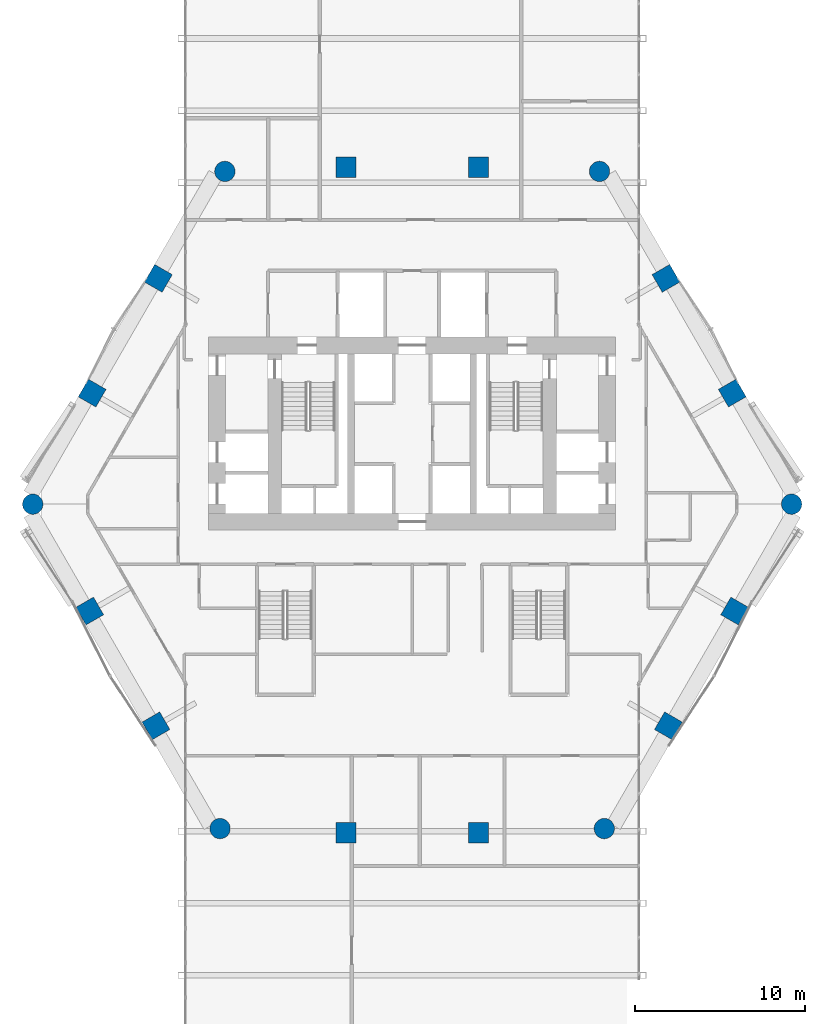
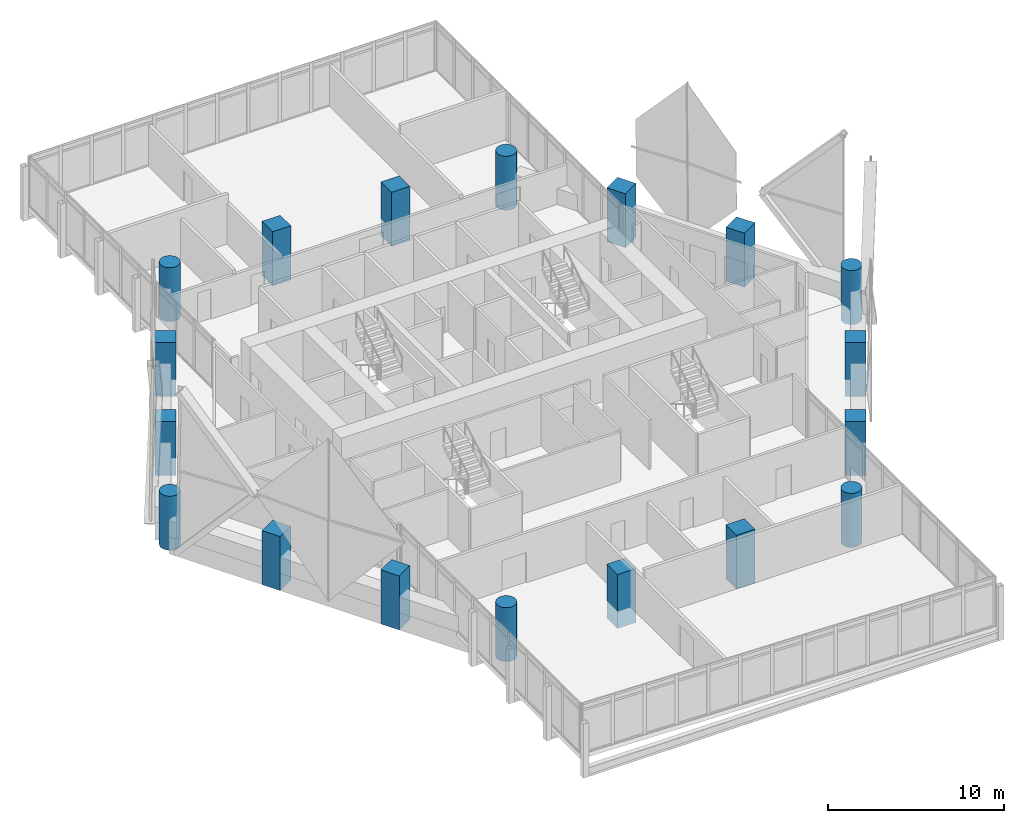
# One storey, part 1 of 38: 18 columns.
"""IFC4 building model written with IfcOpenShell, lengths in metres."""

import ifcopenshell
import ifcopenshell.guid

model = None  # the IFC model being written
_history = None  # IfcOwnerHistory: only IFC2X3 demands one
_inside = {}  # id of a spatial element -> (the spatial element, [elements in it])
_under = {}  # id of a project, library or spatial element -> (it, [spatial elements below it])
_declared = {}  # id of a project -> (the project, [libraries it declares])
_typed = {}  # id of a type object -> (the type object, [elements of that type])
_made_of = {}  # id of a material, layer set ... -> (it, [elements and type objects made of it])


def new_model(schema):
    """Start an empty IFC model of exactly this schema.

    Asked for "IFC4X3", IfcOpenShell would pick the latest addendum, in which some entities
    have other attributes; the version numbers below select the first issue.
    IFC2X3 requires an IfcOwnerHistory on every rooted entity: one is made here for all.
    """
    global model, _history
    if schema == "IFC4X3":
        model = ifcopenshell.file(schema_version=(4, 3, 0, 0))
    else:
        model = ifcopenshell.file(schema=schema)
    _inside.clear()
    _under.clear()
    _declared.clear()
    _typed.clear()
    _made_of.clear()
    _history = None
    if model.schema == "IFC2X3":
        org = make("IfcOrganization", Name="unknown")
        user = make(
            "IfcPersonAndOrganization",
            ThePerson=make("IfcPerson", FamilyName="unknown"),
            TheOrganization=org,
        )
        app = make(
            "IfcApplication",
            ApplicationDeveloper=org,
            Version="unknown",
            ApplicationFullName="unknown",
            ApplicationIdentifier="unknown",
        )
        _history = make(
            "IfcOwnerHistory",
            OwningUser=user,
            OwningApplication=app,
            ChangeAction="ADDED",
            CreationDate=0,
        )
    return model


def make(cls, **values):
    """One entity of the class cls with the attributes given. An attribute that is None is left unset."""
    return model.create_entity(
        cls, **{name: value for name, value in values.items() if value is not None}
    )


def rooted(cls, **values):
    """An entity with a GlobalId (a new one), such as an element, a storey or a relation."""
    return make(cls, GlobalId=ifcopenshell.guid.new(), OwnerHistory=_history, **values)


def si_unit(unit_type, name, prefix=None):
    """IfcSIUnit, for example si_unit("LENGTHUNIT", "METRE", prefix="MILLI")."""
    return make("IfcSIUnit", UnitType=unit_type, Prefix=prefix, Name=name)


def assignment(units):
    """IfcUnitAssignment: the units of a project."""
    return None if units is None else make("IfcUnitAssignment", Units=units)


def point(xyz):
    """IfcCartesianPoint."""
    return None if xyz is None else make("IfcCartesianPoint", Coordinates=xyz)


def direction(xyz):
    """IfcDirection."""
    return None if xyz is None else make("IfcDirection", DirectionRatios=xyz)


def frame(location, z_axis=None, x_axis=None):
    """IfcAxis2Placement3D, a coordinate frame: its origin and axes. An axis left out is left unset."""
    return make(
        "IfcAxis2Placement3D",
        Location=point(location),
        Axis=direction(z_axis),
        RefDirection=direction(x_axis),
    )


def frame_2d(location, x_axis=None):
    """IfcAxis2Placement2D, a coordinate frame in the plane: its origin and x axis."""
    return make(
        "IfcAxis2Placement2D", Location=point(location), RefDirection=direction(x_axis)
    )


def origin():
    """The frame at (0, 0, 0) with its axes left unset."""
    return frame((0.0, 0.0, 0.0))


def origin_2d():
    """The frame at (0, 0) in the plane with its x axis left unset."""
    return frame_2d((0.0, 0.0))


def place(relative_to, where):
    """IfcLocalPlacement: puts the frame where relative to a parent placement (None: the world)."""
    return make(
        "IfcLocalPlacement", PlacementRelTo=relative_to, RelativePlacement=where
    )


def context(
    kind, dimensions, precision=None, world=None, true_north=None, identifier=None
):
    """IfcGeometricRepresentationContext, for example the 3D "Model" context."""
    return make(
        "IfcGeometricRepresentationContext",
        ContextIdentifier=identifier,
        ContextType=kind,
        CoordinateSpaceDimension=dimensions,
        Precision=precision,
        WorldCoordinateSystem=world,
        TrueNorth=true_north,
    )


def subcontext(parent, identifier, kind, view, scale=None):
    """IfcGeometricRepresentationSubContext, for example "Body" below "Model"."""
    return make(
        "IfcGeometricRepresentationSubContext",
        ContextIdentifier=identifier,
        ContextType=kind,
        ParentContext=parent,
        TargetScale=scale,
        TargetView=view,
    )


def project(units=None, contexts=None):
    """IfcProject with its units and contexts."""
    return rooted(
        "IfcProject",
        Name="project",
        RepresentationContexts=contexts,
        UnitsInContext=assignment(units),
    )


def spatial(cls, under=None, at=None, **own):
    """A site, building, storey or space (cls), placed at a placement, below another one or the project."""
    s = rooted(cls, ObjectPlacement=at, **own)
    if under is not None:
        _under.setdefault(under.id(), (under, []))[1].append(s)
    return s


def profile(cls, at=None, kind="AREA", **sizes):
    """A parametric profile (cls). Its sizes go by their IFC names, for example OverallWidth=200.0."""
    return make(cls, ProfileType=kind, Position=at, **sizes)


def rectangle(**sizes):
    """IfcRectangleProfileDef."""
    return profile("IfcRectangleProfileDef", **sizes)


def circle(**sizes):
    """IfcCircleProfileDef."""
    return profile("IfcCircleProfileDef", **sizes)


def extrude(swept, where, along, depth):
    """IfcExtrudedAreaSolid: the profile swept, set in the frame where, extruded along a direction by depth."""
    return make(
        "IfcExtrudedAreaSolid",
        SweptArea=swept,
        Position=where,
        ExtrudedDirection=direction(along),
        Depth=depth,
    )


def shape(context_of_items, identifier, shape_type, items):
    """IfcShapeRepresentation: the items that make up one representation, for example the "Body"."""
    return make(
        "IfcShapeRepresentation",
        ContextOfItems=context_of_items,
        RepresentationIdentifier=identifier,
        RepresentationType=shape_type,
        Items=items,
    )


def material(Name=None, Category=None):
    """IfcMaterial."""
    return make("IfcMaterial", Name=Name, Category=Category)


def material_profile(
    of_material, cross_section, Name=None, Category=None, Priority=None
):
    """IfcMaterialProfile: a cross section and its material."""
    return make(
        "IfcMaterialProfile",
        Name=Name,
        Material=of_material,
        Profile=cross_section,
        Priority=Priority,
        Category=Category,
    )


def profile_set(profiles, Name=None, composite=None):
    """IfcMaterialProfileSet."""
    return make(
        "IfcMaterialProfileSet",
        Name=Name,
        MaterialProfiles=profiles,
        CompositeProfile=composite,
    )


def made_of(thing, what):
    """Note that an element or type object is made of a material, layer set ...; save() writes the relation."""
    if what is not None:
        _made_of.setdefault(what.id(), (what, []))[1].append(thing)
    return thing


def type_object(cls, material=None, **own):
    """A type object (cls), such as IfcWallType, which elements share."""
    return made_of(rooted(cls, **own), material)


def element(
    cls,
    number,
    at=None,
    inside=None,
    cuts=None,
    type_object=None,
    material=None,
    context=None,
    identifier="Body",
    shape_type=None,
    held_by="IfcProductDefinitionShape",
    body=None,
    shapes=None,
    **own,
):
    """One element of the class cls, such as IfcWall. Its Tag is "e" and its number.

    at: its placement. inside: the storey or other place that contains it. cuts: it is an
    opening in that element (IfcRelVoidsElement). A single representation is given by context,
    identifier, shape_type and body (its items); several are given by shapes. held_by: the class
    of the entity that holds the representations. save() writes the other relations.
    """
    e = rooted(cls, Tag="e%d" % number, ObjectPlacement=at, **own)
    if body is not None:
        shapes = [shape(context, identifier, shape_type, body)]
    if shapes is not None:
        e.Representation = make(held_by, Representations=shapes)
    if inside is not None:
        _inside.setdefault(inside.id(), (inside, []))[1].append(e)
    if cuts is not None:
        rooted(
            "IfcRelVoidsElement", RelatingBuildingElement=cuts, RelatedOpeningElement=e
        )
    if type_object is not None:
        _typed.setdefault(type_object.id(), (type_object, []))[1].append(e)
    return made_of(e, material)


def aggregate(whole, parts):
    """IfcRelAggregates: a whole, such as a stair, and the parts it consists of."""
    return rooted("IfcRelAggregates", RelatingObject=whole, RelatedObjects=parts)


def save(model, path):
    """Write the relations noted so far, then the file.

    IfcRelAggregates (storeys below a building ...), IfcRelContainedInSpatialStructure (elements
    in a storey), IfcRelDefinesByType, IfcRelAssociatesMaterial and IfcRelDeclares: one each for
    every whole, place, type object, material and project.
    """
    for whole, parts in _under.values():
        aggregate(whole, parts)
    for where, things in _inside.values():
        rooted(
            "IfcRelContainedInSpatialStructure",
            RelatedElements=things,
            RelatingStructure=where,
        )
    for kind, things in _typed.values():
        rooted("IfcRelDefinesByType", RelatedObjects=things, RelatingType=kind)
    for what, things in _made_of.values():
        rooted("IfcRelAssociatesMaterial", RelatedObjects=things, RelatingMaterial=what)
    for by, libraries in _declared.values():
        rooted("IfcRelDeclares", RelatingContext=by, RelatedDefinitions=libraries)
    model.write(path)


model = new_model("IFC4")

# Units and contexts
model_context = context("Model", 3, precision=1e-05, world=origin(), true_north=direction((0.0, 1.0)))
body_context = subcontext(model_context, "Body", "Model", "MODEL_VIEW")
ifc_project = project(units=[si_unit("LENGTHUNIT", "METRE"), si_unit("AREAUNIT", "SQUARE_METRE"), si_unit("VOLUMEUNIT", "CUBIC_METRE"), si_unit("PLANEANGLEUNIT", "RADIAN"), si_unit("MASSUNIT", "GRAM", prefix="KILO")], contexts=[model_context])

# Site, building, storey
site_placement = place(None, origin())
site = spatial("IfcSite", under=ifc_project, at=site_placement, CompositionType="ELEMENT")
building_placement = place(site_placement, origin())
building = spatial("IfcBuilding", under=site, at=building_placement, Name="Ostrander Bayou Hotel Tower", CompositionType="ELEMENT")
storey_placement = place(building_placement, frame((0.0, 0.0, 96.75)))
storey = spatial("IfcBuildingStorey", under=building, at=storey_placement, Name="L24", CompositionType="ELEMENT", Elevation=96.75)

# Columns
ifc_material_1 = material(Name="Concrete f'c 70 MPa", Category="concrete")
ifc_material_profile_1 = material_profile(ifc_material_1, circle(Radius=0.60009765625, at=origin_2d()))
ifc_profile_set_1 = profile_set([ifc_material_profile_1], Name="Concrete f'c 70 MPa")
column_type_1 = type_object("IfcColumnType", Name="C3 round column 1200 mm f'c 70 MPa", PredefinedType="COLUMN", material=ifc_profile_set_1)
for number, where, z_axis, x_axis, name in (
    (1, (-11.045654296875, 19.458740234375, -1.199951171875), (0.0, 0.0, 1.0), (1.0, 0.0, 0.0), "C3 L24 K0"),
    (2, (-22.374755859375, -0.163818359375, -1.199951171875), (0.0, 0.0, 1.0), (1.0, 0.0, 0.0), "C3 L24 K1"),
    (3, (-11.3291015625, -19.295166015625, -1.199951171875), (0.0, 0.0, 1.0), (1.0, 0.0, 0.0), "C3 L24 K2"),
    (4, (11.3291015625, -19.295166015625, -1.199951171875), (0.0, 0.0, 1.0), (1.0, 0.0, 0.0), "C3 L24 K3"),
    (5, (22.374755859375, -0.163818359375, -1.199951171875), (0.0, 0.0, 1.0), (1.0, 0.0, 0.0), "C3 L24 K4"),
    (6, (11.045654296875, 19.458740234375, -1.199951171875), (0.0, 0.0, 1.0), (1.0, 0.0, 0.0), "C3 L24 K5"),
):
    element("IfcColumn", number, at=place(storey_placement, frame(where, z_axis=z_axis, x_axis=x_axis)), inside=storey, type_object=column_type_1, Name=name, PredefinedType="COLUMN", context=body_context, shape_type="SweptSolid", body=[
        extrude(circle(Radius=0.60009765625, at=origin_2d()), origin(), (0.0, 0.0, 1.0), 3.75),
    ])
ifc_material_2 = material(Name="Concrete f'c 70 MPa", Category="concrete")
ifc_material_profile_2 = material_profile(ifc_material_2, rectangle(XDim=1.199951171875, YDim=1.199951171875, at=origin_2d()))
ifc_profile_set_2 = profile_set([ifc_material_profile_2], Name="Concrete f'c 70 MPa")
column_type_2 = type_object("IfcColumnType", Name="C4 square column 1200 x 1200 mm f'c 70 MPa", PredefinedType="COLUMN", material=ifc_profile_set_2)
for number, where, z_axis, x_axis, name in (
    (7, (3.90673828125, 19.699951171875, -1.199951171875), (0.0, 0.0, 1.0), (1.0, 0.0, 0.0), "C4 L24 N1"),
    (8, (-3.90673828125, 19.699951171875, -1.199951171875), (0.0, 0.0, 1.0), (1.0, 0.0, 0.0), "C4 L24 N2"),
    (9, (-14.965576171875, 13.151611328125, -1.199951171875), (0.0, 0.0, 1.0), (0.5, 0.866025403784, 0.0), "C4 L24 NW1"),
    (10, (-18.872314453125, 6.384765625, -1.199951171875), (0.0, 0.0, 1.0), (0.5, 0.866025403784, 0.0), "C4 L24 NW2"),
    (11, (-19.01416015625, -6.466796875, -1.199951171875), (0.0, 0.0, 1.0), (-0.5, 0.866025403784, 0.0), "C4 L24 SW1"),
    (12, (-15.107421875, -13.2333984375, -1.199951171875), (0.0, 0.0, 1.0), (-0.5, 0.866025403784, 0.0), "C4 L24 SW2"),
    (13, (-3.90673828125, -19.536376953125, -1.199951171875), (0.0, 0.0, 1.0), (-1.0, 0.0, 0.0), "C4 L24 S1"),
    (14, (3.90673828125, -19.536376953125, -1.199951171875), (0.0, 0.0, 1.0), (-1.0, 0.0, 0.0), "C4 L24 S2"),
    (15, (15.107421875, -13.2333984375, -1.199951171875), (0.0, 0.0, 1.0), (-0.5, -0.866025403784, 0.0), "C4 L24 SE1"),
    (16, (19.01416015625, -6.466796875, -1.199951171875), (0.0, 0.0, 1.0), (-0.5, -0.866025403784, 0.0), "C4 L24 SE2"),
    (17, (18.872314453125, 6.384765625, -1.199951171875), (0.0, 0.0, 1.0), (0.5, -0.866025403784, 0.0), "C4 L24 NE1"),
    (18, (14.965576171875, 13.151611328125, -1.199951171875), (0.0, 0.0, 1.0), (0.5, -0.866025403784, 0.0), "C4 L24 NE2"),
):
    element("IfcColumn", number, at=place(storey_placement, frame(where, z_axis=z_axis, x_axis=x_axis)), inside=storey, type_object=column_type_2, Name=name, PredefinedType="COLUMN", context=body_context, shape_type="SweptSolid", body=[
        extrude(rectangle(XDim=1.199951171875, YDim=1.199951171875, at=origin_2d()), origin(), (0.0, 0.0, 1.0), 3.75),
    ])

save(model, "model.ifc")
